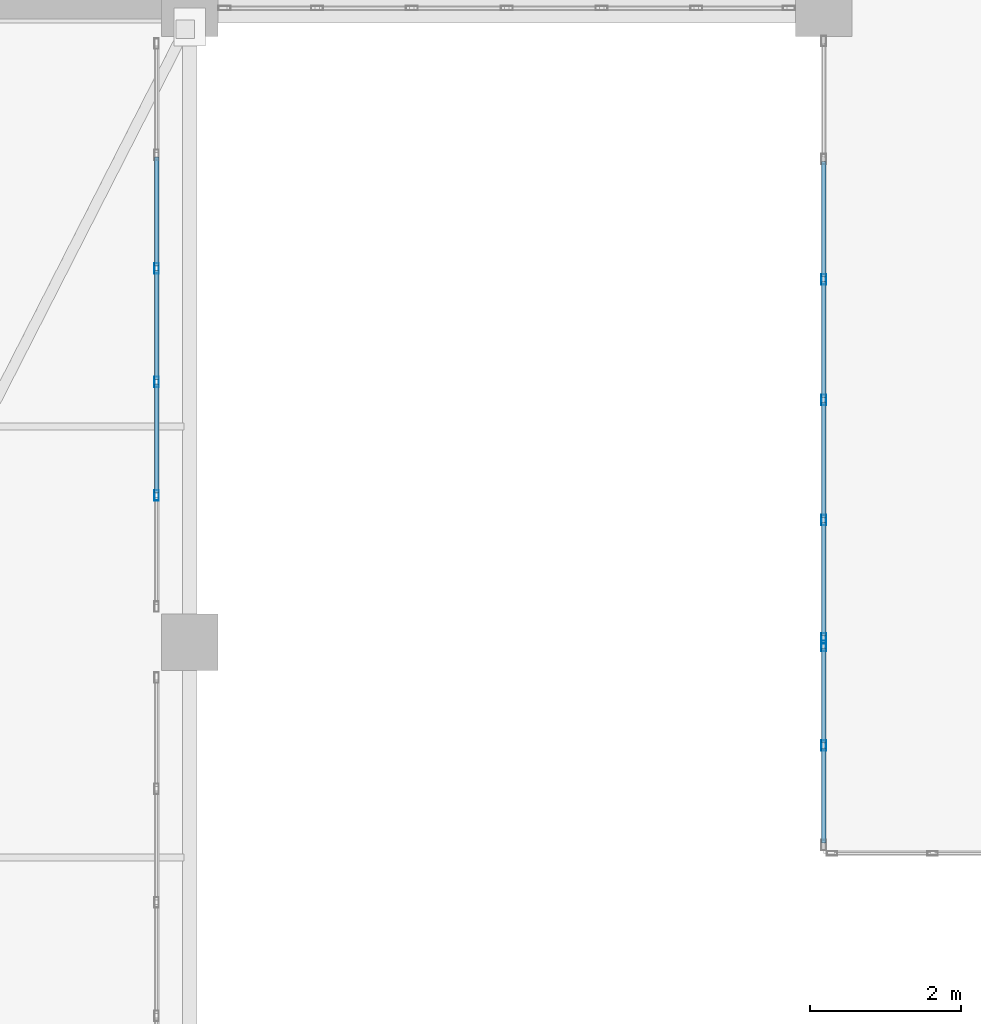
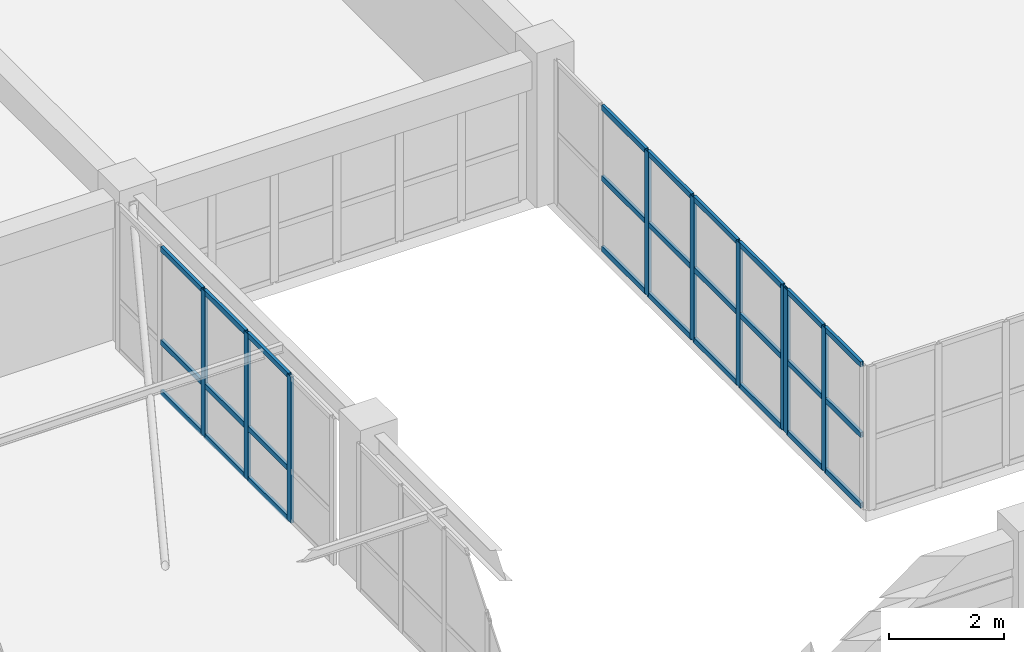
# One storey, part 65 of 200: 36 members, 3 elements without a shape of their own.
"""IFC4 building model written with IfcOpenShell, lengths in metres."""

from ifc_helpers import new_model, si_unit, direction, frame, origin, origin_2d, place, context, subcontext, project, spatial, hollow_rectangle, extrude, material, layer, layer_set, material_profile, profile_set, type_object, element, aggregate, save


model = new_model("IFC4")

# Units and contexts
model_context = context("Model", 3, precision=1e-05, world=origin(), true_north=direction((0.0, 1.0)))
body_context = subcontext(model_context, "Body", "Model", "MODEL_VIEW")
ifc_project = project(units=[si_unit("LENGTHUNIT", "METRE"), si_unit("AREAUNIT", "SQUARE_METRE"), si_unit("VOLUMEUNIT", "CUBIC_METRE"), si_unit("PLANEANGLEUNIT", "RADIAN"), si_unit("MASSUNIT", "GRAM", prefix="KILO")], contexts=[model_context])

# Site, building, storey
site_placement = place(None, origin())
site = spatial("IfcSite", under=ifc_project, at=site_placement, CompositionType="ELEMENT")
building_placement = place(site_placement, origin())
building = spatial("IfcBuilding", under=site, at=building_placement, Name="Trelvath General Hospital", CompositionType="ELEMENT")
storey_placement = place(building_placement, frame((0.0, 0.0, 4.800048828125)))
storey = spatial("IfcBuildingStorey", under=building, at=storey_placement, Name="L01", CompositionType="ELEMENT", Elevation=4.800048828125)

# Curtain wall, members
ifc_material_1 = material(Name="Anodised aluminium and low-E glass", Category="aluminium")
ifc_layer_1 = layer(ifc_material_1, 0.14990234375)
ifc_layer_set_1 = layer_set([ifc_layer_1], Name="Anodised aluminium and low-E glass")
curtain_wall_type_1 = type_object("IfcCurtainWallType", Name="CW CrystalCube 270 306 15", PredefinedType="USERDEFINED", material=ifc_layer_set_1)
curtain_wall_1_placement = place(storey_placement, origin())
curtain_wall_1 = element("IfcCurtainWall", 1, at=curtain_wall_1_placement, inside=storey, type_object=curtain_wall_type_1, Name="Crystal Cube Curtain Wall CUBE-E-T0 W1 L01", ObjectType="Unitised Glazed Curtain Wall", PredefinedType="USERDEFINED")
ifc_material_2 = material(Name="Anodised aluminium", Category="aluminium")
ifc_material_profile_1 = material_profile(ifc_material_2, hollow_rectangle(XDim=0.06005859375, YDim=0.139892578125, WallThickness=0.00390625, at=origin_2d()), Name="RHS60x140x4")
ifc_profile_set_1 = profile_set([ifc_material_profile_1], Name="Anodised aluminium")
member_type_1 = type_object("IfcMemberType", Name="CurtainMullion 60x140", PredefinedType="MULLION", material=ifc_profile_set_1)
member_1_placement = place(storey_placement, frame((92.39990234375, 32.22998046875, 0.0), z_axis=(0.0, 0.0, 1.0), x_axis=(-1.0, 0.0, 0.0)))
member_1 = element("IfcMember", 2, at=member_1_placement, type_object=member_type_1, Name="CW-161 mullion 2", PredefinedType="MULLION", context=body_context, shape_type="SweptSolid", body=[
    extrude(hollow_rectangle(XDim=0.06005859375, YDim=0.139892578125, WallThickness=0.00390625, at=origin_2d()), origin(), (0.0, 0.0, 1.0), 3.06005859375),
])
member_2_placement = place(storey_placement, frame((92.39990234375, 33.550048828125, 0.0), z_axis=(0.0, 0.0, 1.0), x_axis=(-1.0, 0.0, 0.0)))
member_2 = element("IfcMember", 3, at=member_2_placement, type_object=member_type_1, Name="CW-161 mullion 3", PredefinedType="MULLION", context=body_context, shape_type="SweptSolid", body=[
    extrude(hollow_rectangle(XDim=0.06005859375, YDim=0.139892578125, WallThickness=0.00390625, at=origin_2d()), origin(), (0.0, 0.0, 1.0), 3.06005859375),
])

ifc_material_3 = material(Name="Anodised aluminium and low-E glass", Category="aluminium")
ifc_layer_2 = layer(ifc_material_3, 0.14990234375)
ifc_layer_set_2 = layer_set([ifc_layer_2], Name="Anodised aluminium and low-E glass")
curtain_wall_type_2 = type_object("IfcCurtainWallType", Name="CW CrystalCube 798 306 15", PredefinedType="USERDEFINED", material=ifc_layer_set_2)
curtain_wall_2_placement = place(storey_placement, origin())
curtain_wall_2 = element("IfcCurtainWall", 4, at=curtain_wall_2_placement, inside=storey, type_object=curtain_wall_type_2, Name="Crystal Cube Curtain Wall CUBE-E-T0 W2 L01", ObjectType="Unitised Glazed Curtain Wall", PredefinedType="USERDEFINED")
member_3_placement = place(storey_placement, frame((92.39990234375, 33.64990234375, 0.0), z_axis=(0.0, 0.0, 1.0), x_axis=(-1.0, 0.0, 0.0)))
member_3 = element("IfcMember", 5, at=member_3_placement, type_object=member_type_1, Name="CW-163 mullion 1", PredefinedType="MULLION", context=body_context, shape_type="SweptSolid", body=[
    extrude(hollow_rectangle(XDim=0.06005859375, YDim=0.139892578125, WallThickness=0.00390625, at=origin_2d()), origin(), (0.0, 0.0, 1.0), 3.06005859375),
])
member_4_placement = place(storey_placement, frame((92.39990234375, 35.215087890625, 0.0), z_axis=(0.0, 0.0, 1.0), x_axis=(-1.0, 0.0, 0.0)))
member_4 = element("IfcMember", 6, at=member_4_placement, type_object=member_type_1, Name="CW-163 mullion 2", PredefinedType="MULLION", context=body_context, shape_type="SweptSolid", body=[
    extrude(hollow_rectangle(XDim=0.06005859375, YDim=0.139892578125, WallThickness=0.00390625, at=origin_2d()), origin(), (0.0, 0.0, 1.0), 3.06005859375),
])
member_5_placement = place(storey_placement, frame((92.39990234375, 36.81005859375, 0.0), z_axis=(0.0, 0.0, 1.0), x_axis=(-1.0, 0.0, 0.0)))
member_5 = element("IfcMember", 7, at=member_5_placement, type_object=member_type_1, Name="CW-163 mullion 3", PredefinedType="MULLION", context=body_context, shape_type="SweptSolid", body=[
    extrude(hollow_rectangle(XDim=0.06005859375, YDim=0.139892578125, WallThickness=0.00390625, at=origin_2d()), origin(), (0.0, 0.0, 1.0), 3.06005859375),
])
member_6_placement = place(storey_placement, frame((92.39990234375, 38.405029296875, 0.0), z_axis=(0.0, 0.0, 1.0), x_axis=(-1.0, 0.0, 0.0)))
member_6 = element("IfcMember", 8, at=member_6_placement, type_object=member_type_1, Name="CW-163 mullion 4", PredefinedType="MULLION", context=body_context, shape_type="SweptSolid", body=[
    extrude(hollow_rectangle(XDim=0.06005859375, YDim=0.139892578125, WallThickness=0.00390625, at=origin_2d()), origin(), (0.0, 0.0, 1.0), 3.06005859375),
])

ifc_material_4 = material(Name="Anodised aluminium and low-E glass", Category="aluminium")
ifc_layer_3 = layer(ifc_material_4, 0.139892578125)
ifc_layer_set_3 = layer_set([ifc_layer_3], Name="Anodised aluminium and low-E glass")
curtain_wall_type_3 = type_object("IfcCurtainWallType", Name="CW Bridge 752 311", PredefinedType="USERDEFINED", material=ifc_layer_set_3)
curtain_wall_3_placement = place(storey_placement, origin())
curtain_wall_3 = element("IfcCurtainWall", 9, at=curtain_wall_3_placement, inside=storey, type_object=curtain_wall_type_3, Name="Glazed Bridge Curtain Wall BRG-S-C E L01", ObjectType="Unitised Glazed Curtain Wall", PredefinedType="USERDEFINED")
member_7_placement = place(storey_placement, frame((83.56005859375, 38.552001953125, 0.0), z_axis=(0.0, 0.0, 1.0), x_axis=(1.0, 0.0, 0.0)))
member_7 = element("IfcMember", 10, at=member_7_placement, type_object=member_type_1, Name="CW-181 mullion 3", PredefinedType="MULLION", context=body_context, shape_type="SweptSolid", body=[
    extrude(hollow_rectangle(XDim=0.06005859375, YDim=0.139892578125, WallThickness=0.00390625, at=origin_2d()), origin(), (0.0, 0.0, 1.0), 3.10986328125),
])
member_8_placement = place(storey_placement, frame((83.56005859375, 37.048095703125, 0.0), z_axis=(0.0, 0.0, 1.0), x_axis=(1.0, 0.0, 0.0)))
member_8 = element("IfcMember", 11, at=member_8_placement, type_object=member_type_1, Name="CW-181 mullion 4", PredefinedType="MULLION", context=body_context, shape_type="SweptSolid", body=[
    extrude(hollow_rectangle(XDim=0.06005859375, YDim=0.139892578125, WallThickness=0.00390625, at=origin_2d()), origin(), (0.0, 0.0, 1.0), 3.10986328125),
])
member_9_placement = place(storey_placement, frame((83.56005859375, 35.5439453125, 0.0), z_axis=(0.0, 0.0, 1.0), x_axis=(1.0, 0.0, 0.0)))
member_9 = element("IfcMember", 12, at=member_9_placement, type_object=member_type_1, Name="CW-181 mullion 5", PredefinedType="MULLION", context=body_context, shape_type="SweptSolid", body=[
    extrude(hollow_rectangle(XDim=0.06005859375, YDim=0.139892578125, WallThickness=0.00390625, at=origin_2d()), origin(), (0.0, 0.0, 1.0), 3.10986328125),
])

# Member
ifc_material_5 = material(Name="Anodised aluminium", Category="aluminium")
ifc_material_profile_2 = material_profile(ifc_material_5, hollow_rectangle(XDim=0.06005859375, YDim=0.110107421875, WallThickness=0.00390625, at=origin_2d()), Name="RHS60x110x4")
ifc_profile_set_2 = profile_set([ifc_material_profile_2], Name="Anodised aluminium")
member_type_2 = type_object("IfcMemberType", Name="CurtainTransom 60x110", PredefinedType="USERDEFINED", material=ifc_profile_set_2)
member_10_placement = place(storey_placement, frame((92.39990234375, 30.93994140625, 0.030029296875), z_axis=(0.0, 1.0, 0.0), x_axis=(-1.0, 0.0, 0.0)))
member_10 = element("IfcMember", 13, at=member_10_placement, type_object=member_type_2, Name="CW-161 transom 1.1", ObjectType="TRANSOM", PredefinedType="USERDEFINED", context=body_context, shape_type="SweptSolid", body=[
    extrude(hollow_rectangle(XDim=0.06005859375, YDim=0.110107421875, WallThickness=0.00390625, at=origin_2d()), origin(), (0.0, 0.0, 1.0), 1.260009765625),
])

member_11_placement = place(storey_placement, frame((92.39990234375, 30.93994140625, 1.530029296875), z_axis=(0.0, 1.0, 0.0), x_axis=(-1.0, 0.0, 0.0)))
member_11 = element("IfcMember", 14, at=member_11_placement, type_object=member_type_2, Name="CW-161 transom 1.2", ObjectType="TRANSOM", PredefinedType="USERDEFINED", context=body_context, shape_type="SweptSolid", body=[
    extrude(hollow_rectangle(XDim=0.06005859375, YDim=0.110107421875, WallThickness=0.00390625, at=origin_2d()), origin(), (0.0, 0.0, 1.0), 1.260009765625),
])

member_12_placement = place(storey_placement, frame((92.39990234375, 30.93994140625, 3.030029296875), z_axis=(0.0, 1.0, 0.0), x_axis=(-1.0, 0.0, 0.0)))
member_12 = element("IfcMember", 15, at=member_12_placement, type_object=member_type_2, Name="CW-161 transom 1.3", ObjectType="TRANSOM", PredefinedType="USERDEFINED", context=body_context, shape_type="SweptSolid", body=[
    extrude(hollow_rectangle(XDim=0.06005859375, YDim=0.110107421875, WallThickness=0.00390625, at=origin_2d()), origin(), (0.0, 0.0, 1.0), 1.260009765625),
])

member_13_placement = place(storey_placement, frame((92.39990234375, 32.260009765625, 0.030029296875), z_axis=(0.0, 1.0, 0.0), x_axis=(-1.0, 0.0, 0.0)))
member_13 = element("IfcMember", 16, at=member_13_placement, type_object=member_type_2, Name="CW-161 transom 2.1", ObjectType="TRANSOM", PredefinedType="USERDEFINED", context=body_context, shape_type="SweptSolid", body=[
    extrude(hollow_rectangle(XDim=0.06005859375, YDim=0.110107421875, WallThickness=0.00390625, at=origin_2d()), origin(), (0.0, 0.0, 1.0), 1.260009765625),
])

member_14_placement = place(storey_placement, frame((92.39990234375, 32.260009765625, 1.530029296875), z_axis=(0.0, 1.0, 0.0), x_axis=(-1.0, 0.0, 0.0)))
member_14 = element("IfcMember", 17, at=member_14_placement, type_object=member_type_2, Name="CW-161 transom 2.2", ObjectType="TRANSOM", PredefinedType="USERDEFINED", context=body_context, shape_type="SweptSolid", body=[
    extrude(hollow_rectangle(XDim=0.06005859375, YDim=0.110107421875, WallThickness=0.00390625, at=origin_2d()), origin(), (0.0, 0.0, 1.0), 1.260009765625),
])

member_15_placement = place(storey_placement, frame((92.39990234375, 32.260009765625, 3.030029296875), z_axis=(0.0, 1.0, 0.0), x_axis=(-1.0, 0.0, 0.0)))
member_15 = element("IfcMember", 18, at=member_15_placement, type_object=member_type_2, Name="CW-161 transom 2.3", ObjectType="TRANSOM", PredefinedType="USERDEFINED", context=body_context, shape_type="SweptSolid", body=[
    extrude(hollow_rectangle(XDim=0.06005859375, YDim=0.110107421875, WallThickness=0.00390625, at=origin_2d()), origin(), (0.0, 0.0, 1.0), 1.260009765625),
])

aggregate(curtain_wall_1, [member_1, member_2, member_10, member_11, member_12, member_13, member_14, member_15])

member_16_placement = place(storey_placement, frame((92.39990234375, 33.679931640625, 0.030029296875), z_axis=(0.0, 1.0, 0.0), x_axis=(-1.0, 0.0, 0.0)))
member_16 = element("IfcMember", 19, at=member_16_placement, type_object=member_type_2, Name="CW-163 transom 1.1", ObjectType="TRANSOM", PredefinedType="USERDEFINED", context=body_context, shape_type="SweptSolid", body=[
    extrude(hollow_rectangle(XDim=0.06005859375, YDim=0.110107421875, WallThickness=0.00390625, at=origin_2d()), origin(), (0.0, 0.0, 1.0), 1.505126953125),
])

member_17_placement = place(storey_placement, frame((92.39990234375, 33.679931640625, 1.530029296875), z_axis=(0.0, 1.0, 0.0), x_axis=(-1.0, 0.0, 0.0)))
member_17 = element("IfcMember", 20, at=member_17_placement, type_object=member_type_2, Name="CW-163 transom 1.2", ObjectType="TRANSOM", PredefinedType="USERDEFINED", context=body_context, shape_type="SweptSolid", body=[
    extrude(hollow_rectangle(XDim=0.06005859375, YDim=0.110107421875, WallThickness=0.00390625, at=origin_2d()), origin(), (0.0, 0.0, 1.0), 1.505126953125),
])

member_18_placement = place(storey_placement, frame((92.39990234375, 33.679931640625, 3.030029296875), z_axis=(0.0, 1.0, 0.0), x_axis=(-1.0, 0.0, 0.0)))
member_18 = element("IfcMember", 21, at=member_18_placement, type_object=member_type_2, Name="CW-163 transom 1.3", ObjectType="TRANSOM", PredefinedType="USERDEFINED", context=body_context, shape_type="SweptSolid", body=[
    extrude(hollow_rectangle(XDim=0.06005859375, YDim=0.110107421875, WallThickness=0.00390625, at=origin_2d()), origin(), (0.0, 0.0, 1.0), 1.505126953125),
])

member_19_placement = place(storey_placement, frame((92.39990234375, 35.2451171875, 0.030029296875), z_axis=(0.0, 1.0, 0.0), x_axis=(-1.0, 0.0, 0.0)))
member_19 = element("IfcMember", 22, at=member_19_placement, type_object=member_type_2, Name="CW-163 transom 2.1", ObjectType="TRANSOM", PredefinedType="USERDEFINED", context=body_context, shape_type="SweptSolid", body=[
    extrude(hollow_rectangle(XDim=0.06005859375, YDim=0.110107421875, WallThickness=0.00390625, at=origin_2d()), origin(), (0.0, 0.0, 1.0), 1.534912109375),
])

member_20_placement = place(storey_placement, frame((92.39990234375, 35.2451171875, 1.530029296875), z_axis=(0.0, 1.0, 0.0), x_axis=(-1.0, 0.0, 0.0)))
member_20 = element("IfcMember", 23, at=member_20_placement, type_object=member_type_2, Name="CW-163 transom 2.2", ObjectType="TRANSOM", PredefinedType="USERDEFINED", context=body_context, shape_type="SweptSolid", body=[
    extrude(hollow_rectangle(XDim=0.06005859375, YDim=0.110107421875, WallThickness=0.00390625, at=origin_2d()), origin(), (0.0, 0.0, 1.0), 1.534912109375),
])

member_21_placement = place(storey_placement, frame((92.39990234375, 35.2451171875, 3.030029296875), z_axis=(0.0, 1.0, 0.0), x_axis=(-1.0, 0.0, 0.0)))
member_21 = element("IfcMember", 24, at=member_21_placement, type_object=member_type_2, Name="CW-163 transom 2.3", ObjectType="TRANSOM", PredefinedType="USERDEFINED", context=body_context, shape_type="SweptSolid", body=[
    extrude(hollow_rectangle(XDim=0.06005859375, YDim=0.110107421875, WallThickness=0.00390625, at=origin_2d()), origin(), (0.0, 0.0, 1.0), 1.534912109375),
])

member_22_placement = place(storey_placement, frame((92.39990234375, 36.840087890625, 0.030029296875), z_axis=(0.0, 1.0, 0.0), x_axis=(-1.0, 0.0, 0.0)))
member_22 = element("IfcMember", 25, at=member_22_placement, type_object=member_type_2, Name="CW-163 transom 3.1", ObjectType="TRANSOM", PredefinedType="USERDEFINED", context=body_context, shape_type="SweptSolid", body=[
    extrude(hollow_rectangle(XDim=0.06005859375, YDim=0.110107421875, WallThickness=0.00390625, at=origin_2d()), origin(), (0.0, 0.0, 1.0), 1.534912109375),
])

member_23_placement = place(storey_placement, frame((92.39990234375, 36.840087890625, 1.530029296875), z_axis=(0.0, 1.0, 0.0), x_axis=(-1.0, 0.0, 0.0)))
member_23 = element("IfcMember", 26, at=member_23_placement, type_object=member_type_2, Name="CW-163 transom 3.2", ObjectType="TRANSOM", PredefinedType="USERDEFINED", context=body_context, shape_type="SweptSolid", body=[
    extrude(hollow_rectangle(XDim=0.06005859375, YDim=0.110107421875, WallThickness=0.00390625, at=origin_2d()), origin(), (0.0, 0.0, 1.0), 1.534912109375),
])

member_24_placement = place(storey_placement, frame((92.39990234375, 36.840087890625, 3.030029296875), z_axis=(0.0, 1.0, 0.0), x_axis=(-1.0, 0.0, 0.0)))
member_24 = element("IfcMember", 27, at=member_24_placement, type_object=member_type_2, Name="CW-163 transom 3.3", ObjectType="TRANSOM", PredefinedType="USERDEFINED", context=body_context, shape_type="SweptSolid", body=[
    extrude(hollow_rectangle(XDim=0.06005859375, YDim=0.110107421875, WallThickness=0.00390625, at=origin_2d()), origin(), (0.0, 0.0, 1.0), 1.534912109375),
])

member_25_placement = place(storey_placement, frame((92.39990234375, 38.43505859375, 0.030029296875), z_axis=(0.0, 1.0, 0.0), x_axis=(-1.0, 0.0, 0.0)))
member_25 = element("IfcMember", 28, at=member_25_placement, type_object=member_type_2, Name="CW-163 transom 4.1", ObjectType="TRANSOM", PredefinedType="USERDEFINED", context=body_context, shape_type="SweptSolid", body=[
    extrude(hollow_rectangle(XDim=0.06005859375, YDim=0.110107421875, WallThickness=0.00390625, at=origin_2d()), origin(), (0.0, 0.0, 1.0), 1.534912109375),
])

member_26_placement = place(storey_placement, frame((92.39990234375, 38.43505859375, 1.530029296875), z_axis=(0.0, 1.0, 0.0), x_axis=(-1.0, 0.0, 0.0)))
member_26 = element("IfcMember", 29, at=member_26_placement, type_object=member_type_2, Name="CW-163 transom 4.2", ObjectType="TRANSOM", PredefinedType="USERDEFINED", context=body_context, shape_type="SweptSolid", body=[
    extrude(hollow_rectangle(XDim=0.06005859375, YDim=0.110107421875, WallThickness=0.00390625, at=origin_2d()), origin(), (0.0, 0.0, 1.0), 1.534912109375),
])

member_27_placement = place(storey_placement, frame((92.39990234375, 38.43505859375, 3.030029296875), z_axis=(0.0, 1.0, 0.0), x_axis=(-1.0, 0.0, 0.0)))
member_27 = element("IfcMember", 30, at=member_27_placement, type_object=member_type_2, Name="CW-163 transom 4.3", ObjectType="TRANSOM", PredefinedType="USERDEFINED", context=body_context, shape_type="SweptSolid", body=[
    extrude(hollow_rectangle(XDim=0.06005859375, YDim=0.110107421875, WallThickness=0.00390625, at=origin_2d()), origin(), (0.0, 0.0, 1.0), 1.534912109375),
])

aggregate(curtain_wall_2, [member_3, member_4, member_5, member_6, member_16, member_17, member_18, member_19, member_20, member_21, member_22, member_23, member_24, member_25, member_26, member_27])

member_28_placement = place(storey_placement, frame((83.56005859375, 40.02587890625, 0.030029296875), z_axis=(0.0, -1.0, 0.0), x_axis=(1.0, 0.0, 0.0)))
member_28 = element("IfcMember", 31, at=member_28_placement, type_object=member_type_2, Name="CW-181 transom 2.1", ObjectType="TRANSOM", PredefinedType="USERDEFINED", context=body_context, shape_type="SweptSolid", body=[
    extrude(hollow_rectangle(XDim=0.06005859375, YDim=0.110107421875, WallThickness=0.00390625, at=origin_2d()), origin(), (0.0, 0.0, 1.0), 1.44384765625),
])

member_29_placement = place(storey_placement, frame((83.56005859375, 40.02587890625, 1.099853515625), z_axis=(0.0, -1.0, 0.0), x_axis=(1.0, 0.0, 0.0)))
member_29 = element("IfcMember", 32, at=member_29_placement, type_object=member_type_2, Name="CW-181 transom 2.2", ObjectType="TRANSOM", PredefinedType="USERDEFINED", context=body_context, shape_type="SweptSolid", body=[
    extrude(hollow_rectangle(XDim=0.06005859375, YDim=0.110107421875, WallThickness=0.00390625, at=origin_2d()), origin(), (0.0, 0.0, 1.0), 1.44384765625),
])

member_30_placement = place(storey_placement, frame((83.56005859375, 40.02587890625, 3.079833984375), z_axis=(0.0, -1.0, 0.0), x_axis=(1.0, 0.0, 0.0)))
member_30 = element("IfcMember", 33, at=member_30_placement, type_object=member_type_2, Name="CW-181 transom 2.3", ObjectType="TRANSOM", PredefinedType="USERDEFINED", context=body_context, shape_type="SweptSolid", body=[
    extrude(hollow_rectangle(XDim=0.06005859375, YDim=0.110107421875, WallThickness=0.00390625, at=origin_2d()), origin(), (0.0, 0.0, 1.0), 1.44384765625),
])

member_31_placement = place(storey_placement, frame((83.56005859375, 38.52197265625, 0.030029296875), z_axis=(0.0, -1.0, 0.0), x_axis=(1.0, 0.0, 0.0)))
member_31 = element("IfcMember", 34, at=member_31_placement, type_object=member_type_2, Name="CW-181 transom 3.1", ObjectType="TRANSOM", PredefinedType="USERDEFINED", context=body_context, shape_type="SweptSolid", body=[
    extrude(hollow_rectangle(XDim=0.06005859375, YDim=0.110107421875, WallThickness=0.00390625, at=origin_2d()), origin(), (0.0, 0.0, 1.0), 1.444091796875),
])

member_32_placement = place(storey_placement, frame((83.56005859375, 38.52197265625, 1.099853515625), z_axis=(0.0, -1.0, 0.0), x_axis=(1.0, 0.0, 0.0)))
member_32 = element("IfcMember", 35, at=member_32_placement, type_object=member_type_2, Name="CW-181 transom 3.2", ObjectType="TRANSOM", PredefinedType="USERDEFINED", context=body_context, shape_type="SweptSolid", body=[
    extrude(hollow_rectangle(XDim=0.06005859375, YDim=0.110107421875, WallThickness=0.00390625, at=origin_2d()), origin(), (0.0, 0.0, 1.0), 1.444091796875),
])

member_33_placement = place(storey_placement, frame((83.56005859375, 38.52197265625, 3.079833984375), z_axis=(0.0, -1.0, 0.0), x_axis=(1.0, 0.0, 0.0)))
member_33 = element("IfcMember", 36, at=member_33_placement, type_object=member_type_2, Name="CW-181 transom 3.3", ObjectType="TRANSOM", PredefinedType="USERDEFINED", context=body_context, shape_type="SweptSolid", body=[
    extrude(hollow_rectangle(XDim=0.06005859375, YDim=0.110107421875, WallThickness=0.00390625, at=origin_2d()), origin(), (0.0, 0.0, 1.0), 1.444091796875),
])

member_34_placement = place(storey_placement, frame((83.56005859375, 37.01806640625, 0.030029296875), z_axis=(0.0, -1.0, 0.0), x_axis=(1.0, 0.0, 0.0)))
member_34 = element("IfcMember", 37, at=member_34_placement, type_object=member_type_2, Name="CW-181 transom 4.1", ObjectType="TRANSOM", PredefinedType="USERDEFINED", context=body_context, shape_type="SweptSolid", body=[
    extrude(hollow_rectangle(XDim=0.06005859375, YDim=0.110107421875, WallThickness=0.00390625, at=origin_2d()), origin(), (0.0, 0.0, 1.0), 1.444091796875),
])

member_35_placement = place(storey_placement, frame((83.56005859375, 37.01806640625, 1.099853515625), z_axis=(0.0, -1.0, 0.0), x_axis=(1.0, 0.0, 0.0)))
member_35 = element("IfcMember", 38, at=member_35_placement, type_object=member_type_2, Name="CW-181 transom 4.2", ObjectType="TRANSOM", PredefinedType="USERDEFINED", context=body_context, shape_type="SweptSolid", body=[
    extrude(hollow_rectangle(XDim=0.06005859375, YDim=0.110107421875, WallThickness=0.00390625, at=origin_2d()), origin(), (0.0, 0.0, 1.0), 1.444091796875),
])

member_36_placement = place(storey_placement, frame((83.56005859375, 37.01806640625, 3.079833984375), z_axis=(0.0, -1.0, 0.0), x_axis=(1.0, 0.0, 0.0)))
member_36 = element("IfcMember", 39, at=member_36_placement, type_object=member_type_2, Name="CW-181 transom 4.3", ObjectType="TRANSOM", PredefinedType="USERDEFINED", context=body_context, shape_type="SweptSolid", body=[
    extrude(hollow_rectangle(XDim=0.06005859375, YDim=0.110107421875, WallThickness=0.00390625, at=origin_2d()), origin(), (0.0, 0.0, 1.0), 1.444091796875),
])

aggregate(curtain_wall_3, [member_7, member_8, member_9, member_28, member_29, member_30, member_31, member_32, member_33, member_34, member_35, member_36])

save(model, "model.ifc")
